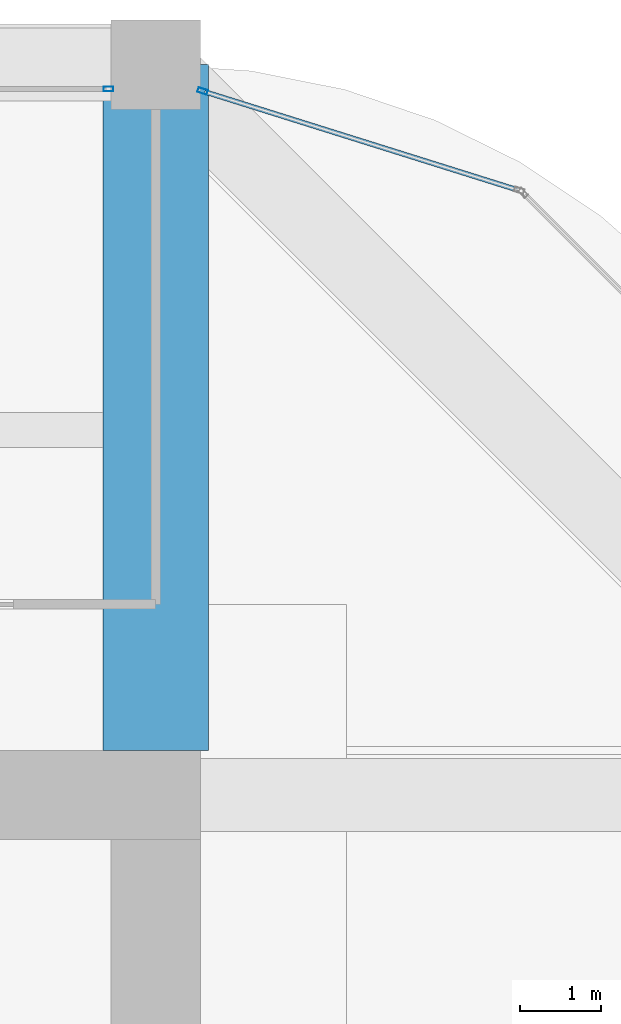
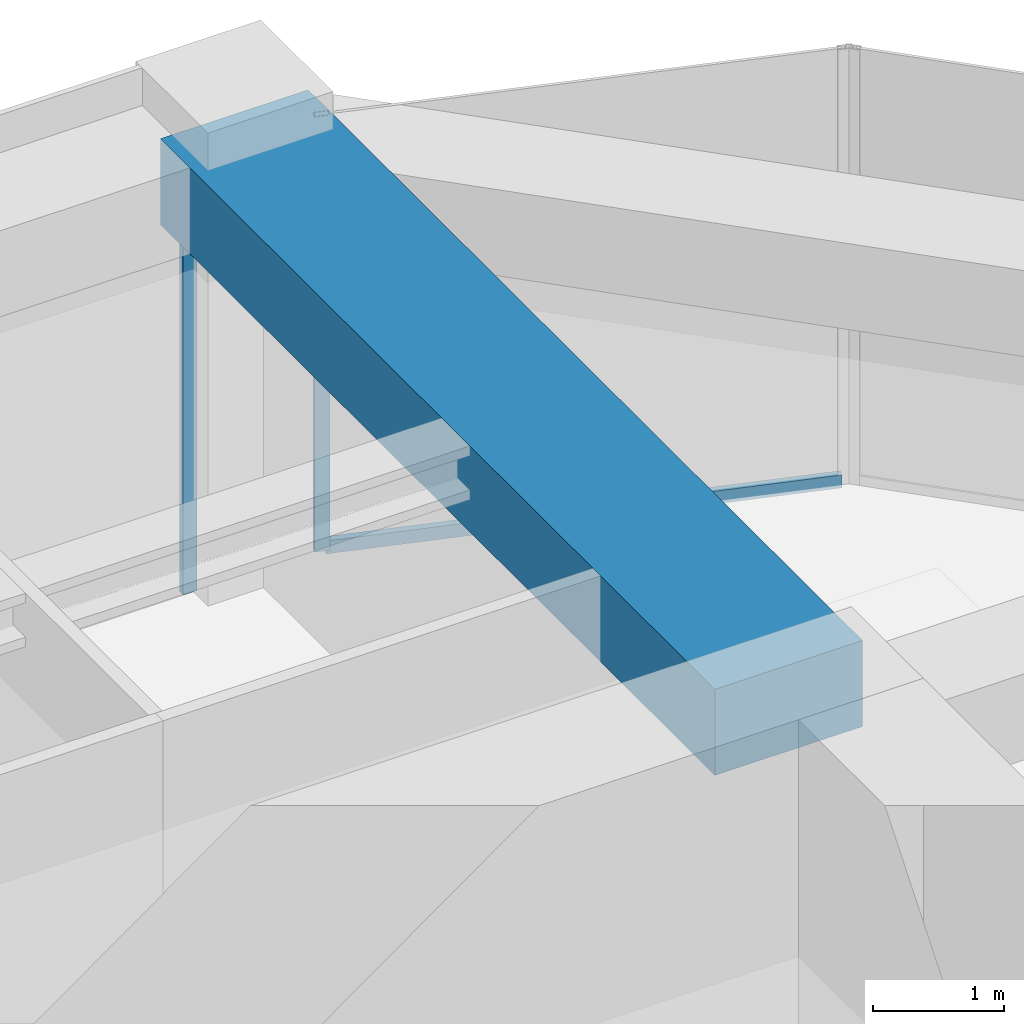
# One storey, part 37 of 44: 3 members, 1 beam, 2 elements without a shape of their own.
"""IFC4 building model written with IfcOpenShell, lengths in metres."""

from ifc_helpers import new_model, si_unit, direction, frame, origin, origin_2d, place, context, subcontext, project, spatial, rectangle, hollow_rectangle, extrude, material, material_profile, profile_set, type_object, element, aggregate, save


model = new_model("IFC4")

# Units and contexts
model_context = context("Model", 3, precision=1e-05, world=origin(), true_north=direction((0.0, 1.0)))
body_context = subcontext(model_context, "Body", "Model", "MODEL_VIEW")
ifc_project = project(units=[si_unit("LENGTHUNIT", "METRE"), si_unit("AREAUNIT", "SQUARE_METRE"), si_unit("VOLUMEUNIT", "CUBIC_METRE"), si_unit("PLANEANGLEUNIT", "RADIAN"), si_unit("MASSUNIT", "GRAM", prefix="KILO")], contexts=[model_context])

# Site, building, storey
site_placement = place(None, origin())
site = spatial("IfcSite", under=ifc_project, at=site_placement, CompositionType="ELEMENT")
building_placement = place(site_placement, origin())
building = spatial("IfcBuilding", under=site, at=building_placement, Name="Zorevar Civic Tower", CompositionType="ELEMENT")
storey_placement = place(building_placement, frame((0.0, 0.0, 307.39990234375)))
storey = spatial("IfcBuildingStorey", under=building, at=storey_placement, Name="L75", CompositionType="ELEMENT", Elevation=307.39990234375)

# Beam
ifc_material_1 = material(Name="Concrete C50/60", Category="concrete")
ifc_material_profile_1 = material_profile(ifc_material_1, rectangle(XDim=1.300048828125, YDim=0.800048828125, at=origin_2d()), Name="RC 1300x800")
ifc_profile_set_1 = profile_set([ifc_material_profile_1], Name="Concrete C50/60")
beam_type = type_object("IfcBeamType", Name="Beam RC 1300x800", PredefinedType="BEAM", material=ifc_profile_set_1)
beam_placement = place(storey_placement, frame((45.0, 36.550048828125, 3.650146484375), z_axis=(0.0, 1.0, 0.0), x_axis=(-1.0, 0.0, 0.0)))
element("IfcBeam", 1, at=beam_placement, inside=storey, type_object=beam_type, Name="Girder RF", PredefinedType="BEAM", context=body_context, shape_type="SweptSolid", body=[
    extrude(rectangle(XDim=1.300048828125, YDim=0.800048828125, at=origin_2d()), origin(), (0.0, 0.0, 1.0), 8.449951171875),
])

# Curtain wall, member
ifc_material_2 = material(Name="Dark grey solar-control glass in black aluminium frame", Category="aluminium")
curtain_wall_type = type_object("IfcCurtainWallType", Name="Curtain wall CW5 top zone", PredefinedType="NOTDEFINED", material=ifc_material_2)
curtain_wall_1_placement = place(storey_placement, origin())
curtain_wall_1 = element("IfcCurtainWall", 2, at=curtain_wall_1_placement, inside=storey, type_object=curtain_wall_type, Name="CW5 L75", PredefinedType="NOTDEFINED")
ifc_material_3 = material(Name="Aluminium, black anodised", Category="aluminium")
ifc_material_profile_2 = material_profile(ifc_material_3, hollow_rectangle(XDim=0.06005859375, YDim=0.1201171875, WallThickness=0.0029296875, at=origin_2d()), Name="AL 120x60x3")
ifc_profile_set_2 = profile_set([ifc_material_profile_2], Name="Aluminium, black anodised")
member_type_1 = type_object("IfcMemberType", Name="CW5 mullion AL 120x60x3", PredefinedType="MULLION", material=ifc_profile_set_2)
member_1_placement = place(storey_placement, frame((44.419921875, 44.699951171875, 0.0), z_axis=(0.0, 0.0, 1.0), x_axis=(0.0, 1.0, 0.0)))
member_1 = element("IfcMember", 3, at=member_1_placement, type_object=member_type_1, Name="CW5 mullion 3", PredefinedType="MULLION", context=body_context, shape_type="SweptSolid", body=[
    extrude(hollow_rectangle(XDim=0.06005859375, YDim=0.1201171875, WallThickness=0.0029296875, at=origin_2d()), origin(), (0.0, 0.0, 1.0), 3.25),
])
aggregate(curtain_wall_1, [member_1])

# Curtain wall, members
curtain_wall_2_placement = place(storey_placement, origin())
curtain_wall_2 = element("IfcCurtainWall", 4, at=curtain_wall_2_placement, inside=storey, type_object=curtain_wall_type, Name="CW5 L75", PredefinedType="NOTDEFINED")
member_2_placement = place(storey_placement, frame((45.57861328125, 44.673583984375, 0.0), z_axis=(0.0, 0.0, 1.0), x_axis=(-0.299317920238, -0.954153437674, 0.0)))
member_2 = element("IfcMember", 5, at=member_2_placement, type_object=member_type_1, Name="CW5 mullion 2", PredefinedType="MULLION", context=body_context, shape_type="SweptSolid", body=[
    extrude(hollow_rectangle(XDim=0.06005859375, YDim=0.1201171875, WallThickness=0.0029296875, at=origin_2d()), origin(), (0.0, 0.0, 1.0), 4.050048828125),
])
ifc_material_4 = material(Name="Aluminium, black anodised", Category="aluminium")
ifc_material_profile_3 = material_profile(ifc_material_4, hollow_rectangle(XDim=0.06005859375, YDim=0.1201171875, WallThickness=0.0029296875, at=origin_2d()), Name="AL 120x60x3")
ifc_profile_set_3 = profile_set([ifc_material_profile_3], Name="Aluminium, black anodised")
member_type_2 = type_object("IfcMemberType", Name="CW5 transom AL 120x60x3", PredefinedType="USERDEFINED", material=ifc_profile_set_3)
member_3_placement = place(storey_placement, frame((49.45068359375, 43.458984375, 0.030029296875), z_axis=(-0.954163457351, 0.299285978047, 0.0), x_axis=(-0.299285978047, -0.954163457351, 0.0)))
member_3 = element("IfcMember", 6, at=member_3_placement, type_object=member_type_2, Name="CW5 sill transom", ObjectType="TRANSOM", PredefinedType="USERDEFINED", context=body_context, shape_type="SweptSolid", body=[
    extrude(hollow_rectangle(XDim=0.06005859375, YDim=0.1201171875, WallThickness=0.0029296875, at=origin_2d()), origin(), (0.0, 0.0, 1.0), 4.028076171875),
])
aggregate(curtain_wall_2, [member_2, member_3])

save(model, "model.ifc")
